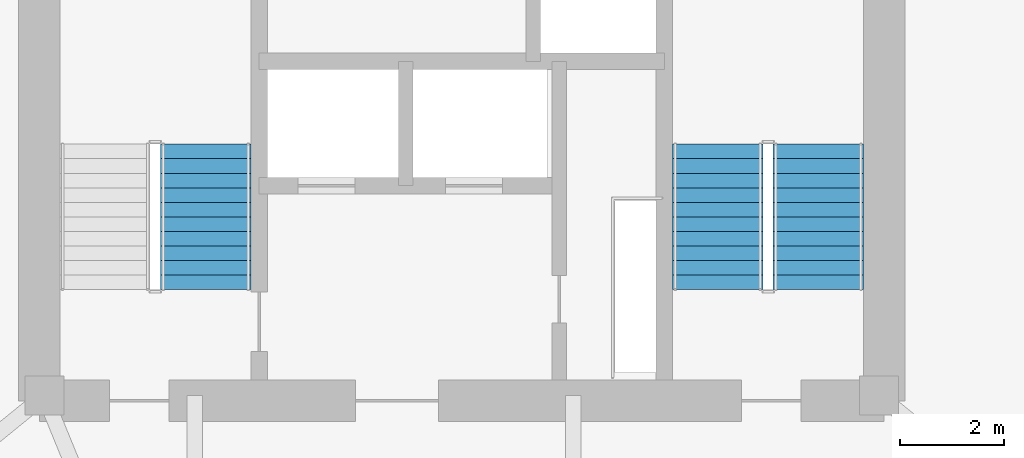
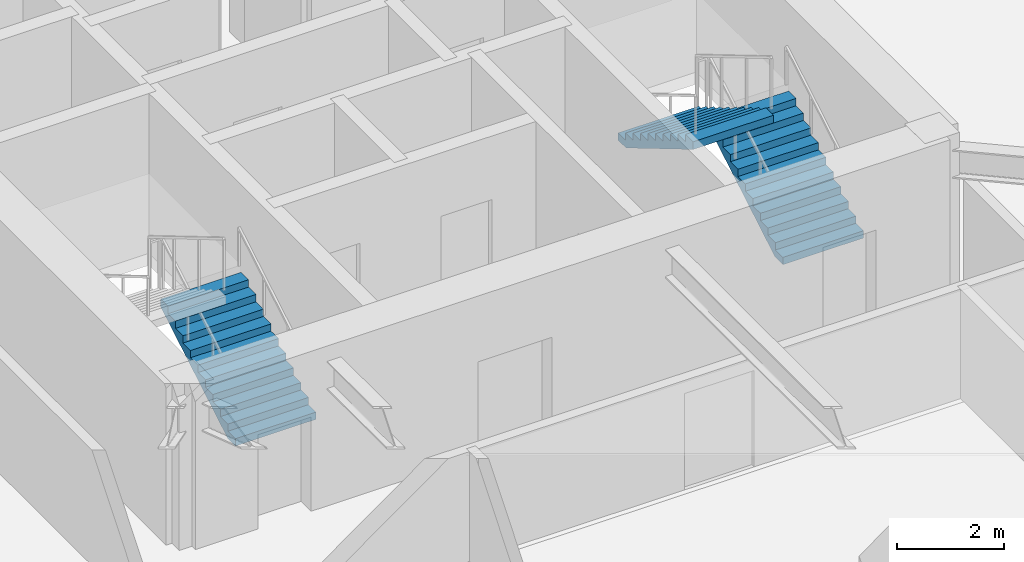
# One storey, part 11 of 13: 3 stair flights, 2 elements without a shape of their own.
"""IFC4 building model written with IfcOpenShell, lengths in metres."""

from ifc_helpers import new_model, si_unit, direction, frame, origin, place, context, subcontext, project, spatial, polyline, outline, extrude, material, type_object, element, aggregate, save


model = new_model("IFC4")

# Units and contexts
model_context = context("Model", 3, precision=1e-05, world=origin(), true_north=direction((0.0, 1.0)))
body_context = subcontext(model_context, "Body", "Model", "MODEL_VIEW")
ifc_project = project(units=[si_unit("LENGTHUNIT", "METRE"), si_unit("AREAUNIT", "SQUARE_METRE"), si_unit("VOLUMEUNIT", "CUBIC_METRE"), si_unit("PLANEANGLEUNIT", "RADIAN"), si_unit("MASSUNIT", "GRAM", prefix="KILO")], contexts=[model_context])

# Site, building, storey
site_placement = place(None, origin())
site = spatial("IfcSite", under=ifc_project, at=site_placement, CompositionType="ELEMENT")
building_placement = place(site_placement, origin())
building = spatial("IfcBuilding", under=site, at=building_placement, Name="Talyreon Biosciences Tower", CompositionType="ELEMENT")
storey_placement = place(building_placement, frame((0.0, 0.0, 167.35009765625)))
storey = spatial("IfcBuildingStorey", under=building, at=storey_placement, Name="L44", CompositionType="ELEMENT", Elevation=167.35009765625)

# Stair, stair flight
ifc_material = material(Name="Concrete C40/50", Category="concrete")
stair_type = type_object("IfcStairType", Name="DoglegEscapeStair_3650", PredefinedType="HALF_TURN_STAIR", material=ifc_material)
stair_1_placement = place(storey_placement, origin())
stair_1 = element("IfcStair", 1, at=stair_1_placement, inside=storey, type_object=stair_type, Name="L44 Core Escape Stair 1", PredefinedType="HALF_TURN_STAIR")
stair_flight_type = type_object("IfcStairFlightType", Name="PrecastStairFlight_3650", PredefinedType="STRAIGHT", material=ifc_material)
stair_flight_1_placement = place(storey_placement, frame((61.06005859375, 63.39990234375, 0.0), z_axis=(0.0, 0.0, 1.0), x_axis=(0.0, 1.0, 0.0)))
stair_flight_1 = element("IfcStairFlight", 2, at=stair_flight_1_placement, type_object=stair_flight_type, Name="ST-1 flight 1", NumberOfRisers=11, NumberOfTreads=10, PredefinedType="STRAIGHT", RiserHeight=0.165909091, TreadLength=0.28, context=body_context, shape_type="SweptSolid", body=[
    extrude(outline(polyline([(0.0, 0.0), (0.0, 0.166015625), (0.280029296875, 0.166015625), (0.280029296875, 0.331787109375), (0.56005859375, 0.331787109375), (0.56005859375, 0.497802734375), (0.840087890625, 0.497802734375), (0.840087890625, 0.66357421875), (1.1201171875, 0.66357421875), (1.1201171875, 0.82958984375), (1.39990234375, 0.82958984375), (1.39990234375, 0.995361328125), (1.679931640625, 0.995361328125), (1.679931640625, 1.161376953125), (1.9599609375, 1.161376953125), (1.9599609375, 1.327392578125), (2.239990234375, 1.327392578125), (2.239990234375, 1.4931640625), (2.52001953125, 1.4931640625), (2.52001953125, 1.6591796875), (2.800048828125, 1.6591796875), (2.800048828125, 1.824951171875), (2.800048828125, 1.48486328125), (0.2939453125, 0.0), (0.0, 0.0)])), frame((0.0, 0.8701171875, 0.0), z_axis=(0.0, -1.0, 0.0), x_axis=(1.0, 0.0, 0.0)), (0.0, 0.0, 1.0), 1.739990234375),
])
aggregate(stair_1, [stair_flight_1])

# Stair, stair flights
stair_2_placement = place(storey_placement, origin())
stair_2 = element("IfcStair", 3, at=stair_2_placement, inside=storey, type_object=stair_type, Name="L44 Core Escape Stair 2", PredefinedType="HALF_TURN_STAIR")
stair_flight_2_placement = place(storey_placement, frame((72.8798828125, 63.39990234375, 0.0), z_axis=(0.0, 0.0, 1.0), x_axis=(0.0, 1.0, 0.0)))
stair_flight_2 = element("IfcStairFlight", 4, at=stair_flight_2_placement, type_object=stair_flight_type, Name="ST-2 flight 1", NumberOfRisers=11, NumberOfTreads=10, PredefinedType="STRAIGHT", RiserHeight=0.165909091, TreadLength=0.28, context=body_context, shape_type="SweptSolid", body=[
    extrude(outline(polyline([(0.0, 0.0), (0.0, 0.166015625), (0.280029296875, 0.166015625), (0.280029296875, 0.331787109375), (0.56005859375, 0.331787109375), (0.56005859375, 0.497802734375), (0.840087890625, 0.497802734375), (0.840087890625, 0.66357421875), (1.1201171875, 0.66357421875), (1.1201171875, 0.82958984375), (1.39990234375, 0.82958984375), (1.39990234375, 0.995361328125), (1.679931640625, 0.995361328125), (1.679931640625, 1.161376953125), (1.9599609375, 1.161376953125), (1.9599609375, 1.327392578125), (2.239990234375, 1.327392578125), (2.239990234375, 1.4931640625), (2.52001953125, 1.4931640625), (2.52001953125, 1.6591796875), (2.800048828125, 1.6591796875), (2.800048828125, 1.824951171875), (2.800048828125, 1.48486328125), (0.2939453125, 0.0), (0.0, 0.0)])), frame((0.0, 0.8701171875, 0.0), z_axis=(0.0, -1.0, 0.0), x_axis=(1.0, 0.0, 0.0)), (0.0, 0.0, 1.0), 1.739990234375),
])
stair_flight_3_placement = place(storey_placement, frame((70.93994140625, 66.199951171875, 1.824951171875), z_axis=(0.0, 0.0, 1.0), x_axis=(0.0, -1.0, 0.0)))
stair_flight_3 = element("IfcStairFlight", 5, at=stair_flight_3_placement, type_object=stair_flight_type, Name="ST-2 flight 2", NumberOfRisers=11, NumberOfTreads=10, PredefinedType="STRAIGHT", RiserHeight=0.165909091, TreadLength=0.28, context=body_context, shape_type="SweptSolid", body=[
    extrude(outline(polyline([(0.0, 0.0), (0.0, 0.166015625), (0.280029296875, 0.166015625), (0.280029296875, 0.331787109375), (0.56005859375, 0.331787109375), (0.56005859375, 0.497802734375), (0.840087890625, 0.497802734375), (0.840087890625, 0.66357421875), (1.1201171875, 0.66357421875), (1.1201171875, 0.82958984375), (1.39990234375, 0.82958984375), (1.39990234375, 0.995361328125), (1.679931640625, 0.995361328125), (1.679931640625, 1.161376953125), (1.9599609375, 1.161376953125), (1.9599609375, 1.327392578125), (2.239990234375, 1.327392578125), (2.239990234375, 1.4931640625), (2.52001953125, 1.4931640625), (2.52001953125, 1.6591796875), (2.800048828125, 1.6591796875), (2.800048828125, 1.824951171875), (2.800048828125, 1.48486328125), (0.2939453125, 0.0), (0.0, 0.0)])), frame((0.0, 0.8701171875, 0.0), z_axis=(0.0, -1.0, 0.0), x_axis=(1.0, 0.0, 0.0)), (0.0, 0.0, 1.0), 1.739990234375),
])
aggregate(stair_2, [stair_flight_2, stair_flight_3])

save(model, "model.ifc")
